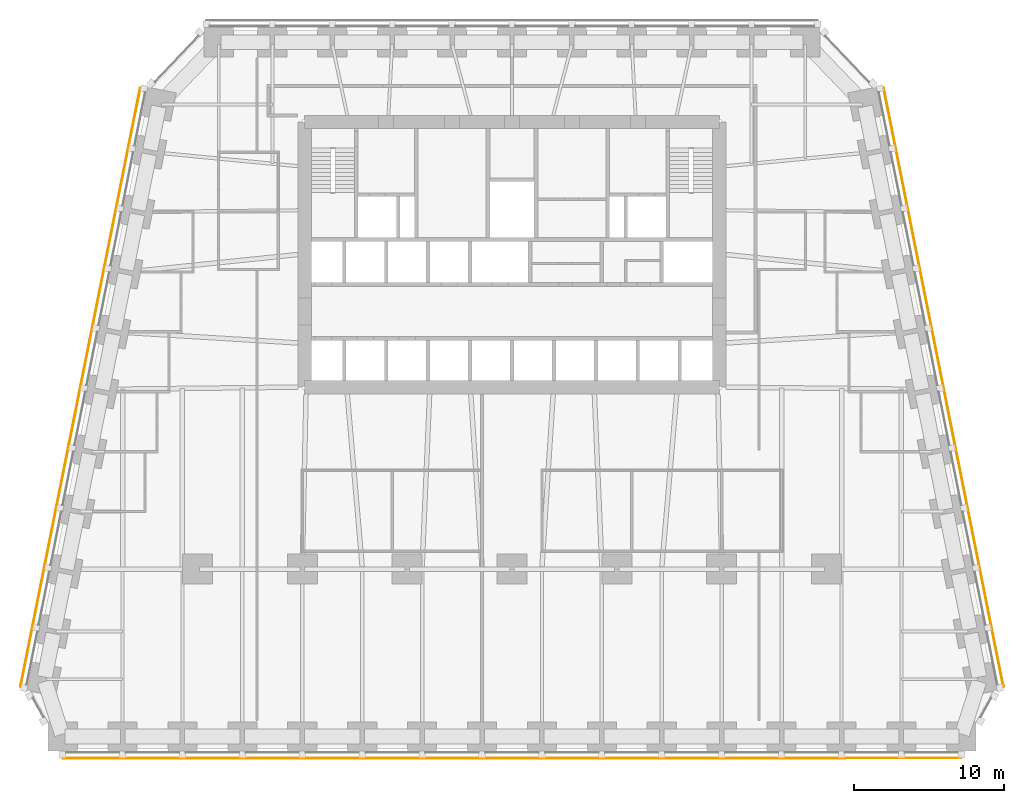
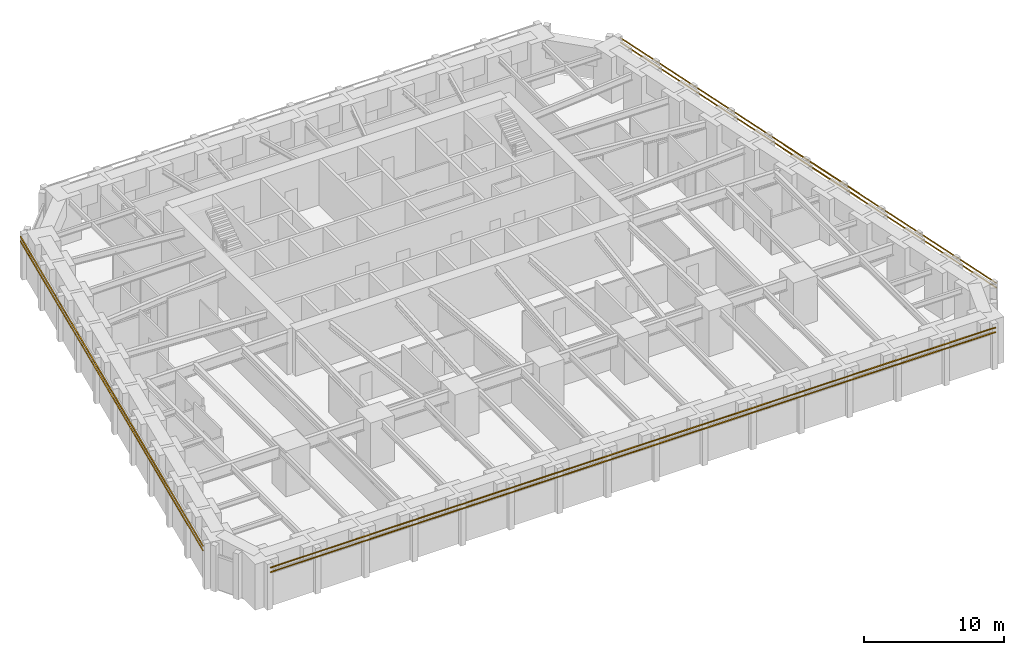
# One storey, part 9 of 10: 6 shading devices.
"""IFC4 building model written with IfcOpenShell, lengths in metres."""

from ifc_helpers import new_model, si_unit, direction, frame, origin, origin_2d, place, context, subcontext, project, spatial, rectangle, extrude, material, material_profile, profile_set, type_object, element, save


model = new_model("IFC4")

# Units and contexts
model_context = context("Model", 3, precision=1e-05, world=origin(), true_north=direction((0.0, 1.0)))
body_context = subcontext(model_context, "Body", "Model", "MODEL_VIEW")
ifc_project = project(units=[si_unit("LENGTHUNIT", "METRE"), si_unit("AREAUNIT", "SQUARE_METRE"), si_unit("VOLUMEUNIT", "CUBIC_METRE"), si_unit("PLANEANGLEUNIT", "RADIAN"), si_unit("MASSUNIT", "GRAM", prefix="KILO")], contexts=[model_context])

# Site, building, storey
site_placement = place(None, origin())
site = spatial("IfcSite", under=ifc_project, at=site_placement, CompositionType="ELEMENT")
building_placement = place(site_placement, origin())
building = spatial("IfcBuilding", under=site, at=building_placement, Name="Isbrekke Arena Tower", CompositionType="ELEMENT")
storey_placement = place(building_placement, frame((0.0, 0.0, 68.0)))
storey = spatial("IfcBuildingStorey", under=building, at=storey_placement, Name="L14", CompositionType="ELEMENT", Elevation=68.0)

# Shading devices
ifc_material = material(Name="Terracotta", Category="masonry")
ifc_material_profile = material_profile(ifc_material, rectangle(XDim=0.06005859375, YDim=0.06005859375, at=origin_2d()), Name="BAGUETTE 60X60")
ifc_profile_set = profile_set([ifc_material_profile], Name="Terracotta")
shading_device_type = type_object("IfcShadingDeviceType", Name="BG1 TERRACOTTA BAGUETTE 60 x 60", PredefinedType="USERDEFINED", material=ifc_profile_set)
for number, where, z_axis, x_axis, name in (
    (1, (-30.0, -18.6298828125, 3.280029296875), (1.0, 0.0, 0.0), (0.0, 1.0, 0.0), "BG1 terracotta baguette S1 L14"),
    (2, (-30.0, -18.6298828125, 3.679931640625), (1.0, 0.0, 0.0), (0.0, 1.0, 0.0), "BG1 terracotta baguette S2 L14"),
):
    element("IfcShadingDevice", number, at=place(storey_placement, frame(where, z_axis=z_axis, x_axis=x_axis)), inside=storey, type_object=shading_device_type, Name=name, ObjectType="TERRACOTTA BAGUETTE", PredefinedType="USERDEFINED", context=body_context, shape_type="SweptSolid", body=[
        extrude(rectangle(XDim=0.06005859375, YDim=0.06005859375, at=origin_2d()), origin(), (0.0, 0.0, 1.0), 60.0),
    ])
for number, where, z_axis, x_axis, name in (
    (3, (32.81787109375, -13.87646484375, 3.280029296875), (-0.196116135138, 0.980580675691, 0.0), (-0.980580675691, -0.196116135138, 0.0), "BG1 terracotta baguette E1 L14"),
    (4, (32.81787109375, -13.87646484375, 3.679931640625), (-0.196116135138, 0.980580675691, 0.0), (-0.980580675691, -0.196116135138, 0.0), "BG1 terracotta baguette E2 L14"),
    (5, (-24.81787109375, 26.12353515625, 3.280029296875), (-0.196116135138, -0.980580675691, 0.0), (0.980580675691, -0.196116135138, 0.0), "BG1 terracotta baguette W1 L14"),
    (6, (-24.81787109375, 26.12353515625, 3.679931640625), (-0.196116135138, -0.980580675691, 0.0), (0.980580675691, -0.196116135138, 0.0), "BG1 terracotta baguette W2 L14"),
):
    element("IfcShadingDevice", number, at=place(storey_placement, frame(where, z_axis=z_axis, x_axis=x_axis)), inside=storey, type_object=shading_device_type, Name=name, ObjectType="TERRACOTTA BAGUETTE", PredefinedType="USERDEFINED", context=body_context, shape_type="SweptSolid", body=[
        extrude(rectangle(XDim=0.06005859375, YDim=0.06005859375, at=origin_2d()), origin(), (0.0, 0.0, 1.0), 40.792236328125),
    ])

save(model, "model.ifc")
